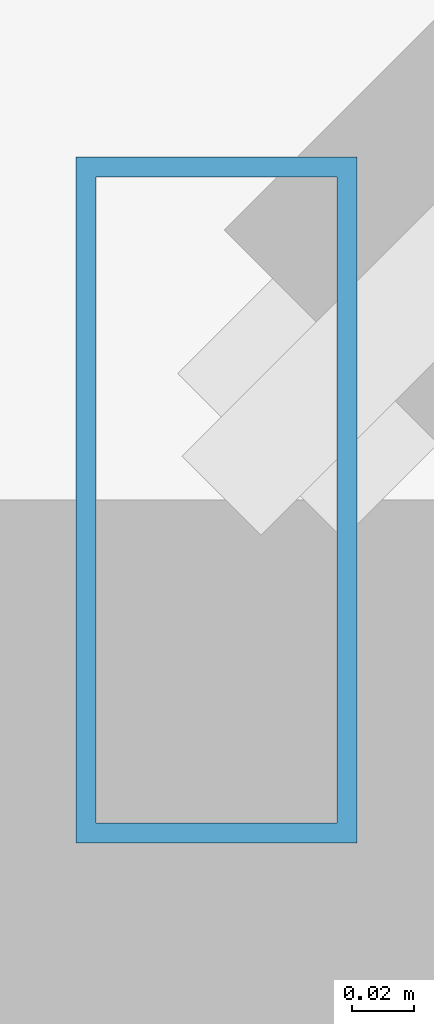
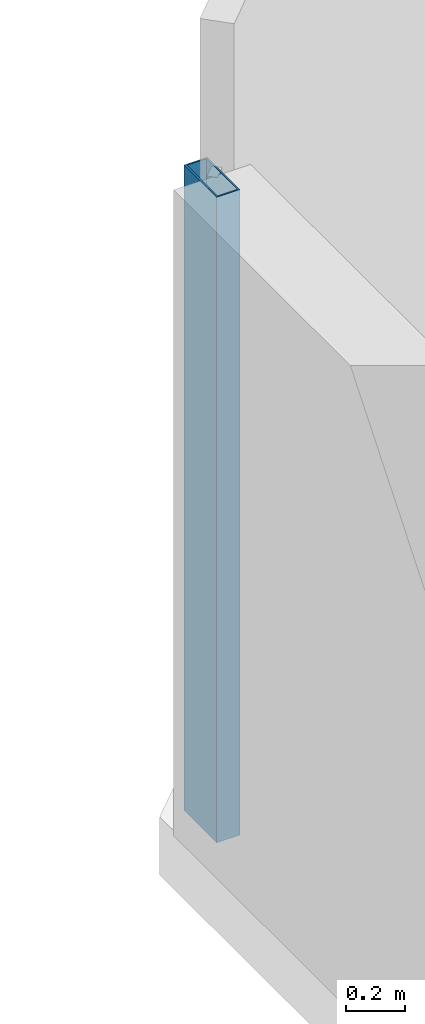
# One storey, part 12 of 36: 1 member, 1 element without a shape of its own.
"""IFC4 building model written with IfcOpenShell, lengths in metres."""

from ifc_helpers import new_model, si_unit, direction, frame, origin, origin_2d, place, context, subcontext, project, spatial, hollow_rectangle, extrude, material, material_profile, profile_set, type_object, element, aggregate, save


model = new_model("IFC4")

# Units and contexts
model_context = context("Model", 3, precision=1e-05, world=origin(), true_north=direction((0.0, 1.0)))
body_context = subcontext(model_context, "Body", "Model", "MODEL_VIEW")
ifc_project = project(units=[si_unit("LENGTHUNIT", "METRE"), si_unit("AREAUNIT", "SQUARE_METRE"), si_unit("VOLUMEUNIT", "CUBIC_METRE"), si_unit("PLANEANGLEUNIT", "RADIAN"), si_unit("MASSUNIT", "GRAM", prefix="KILO")], contexts=[model_context])

# Site, building, storey
site_placement = place(None, origin())
site = spatial("IfcSite", under=ifc_project, at=site_placement, CompositionType="ELEMENT")
building_placement = place(site_placement, origin())
building = spatial("IfcBuilding", under=site, at=building_placement, Name="Thornwick Lancets Civic Towers", CompositionType="ELEMENT")
storey_placement = place(building_placement, frame((0.0, 0.0, 68.10009765625)))
storey = spatial("IfcBuildingStorey", under=building, at=storey_placement, Name="L17", CompositionType="ELEMENT", Elevation=68.10009765625)

# Curtain wall, member
ifc_material_1 = material(Name="Low-zone chamfered-corner unitised glass curtain wall", Category="glass")
curtain_wall_type = type_object("IfcCurtainWallType", Name="CW_SYS_03", PredefinedType="NOTDEFINED", material=ifc_material_1)
curtain_wall_placement = place(storey_placement, origin())
curtain_wall = element("IfcCurtainWall", 1, at=curtain_wall_placement, inside=storey, type_object=curtain_wall_type, Name="L17 Curtain Wall CW-L17-B-E5", PredefinedType="NOTDEFINED")
ifc_material_2 = material(Name="Thermally broken bronze aluminium S355", Category="steel")
ifc_material_profile = material_profile(ifc_material_2, hollow_rectangle(XDim=0.090087890625, YDim=0.219970703125, WallThickness=0.00634765625, at=origin_2d()), Name="RHS 220x90x6.3")
ifc_profile_set = profile_set([ifc_material_profile], Name="Thermally broken bronze aluminium S355")
member_type = type_object("IfcMemberType", Name="CW_MUL_220", PredefinedType="MULLION", material=ifc_profile_set)
member_placement = place(storey_placement, frame((70.235107421875, 48.68115234375, 0.0), z_axis=(0.0, 0.0, 1.0), x_axis=(1.0, 0.0, 0.0)))
member = element("IfcMember", 2, at=member_placement, type_object=member_type, Name="CW-L17-B-E5 Mullion 1", PredefinedType="MULLION", context=body_context, shape_type="SweptSolid", body=[
    extrude(hollow_rectangle(XDim=0.090087890625, YDim=0.219970703125, WallThickness=0.00634765625, at=origin_2d()), origin(), (0.0, 0.0, 1.0), 2.659912109375),
])
aggregate(curtain_wall, [member])

save(model, "model.ifc")
